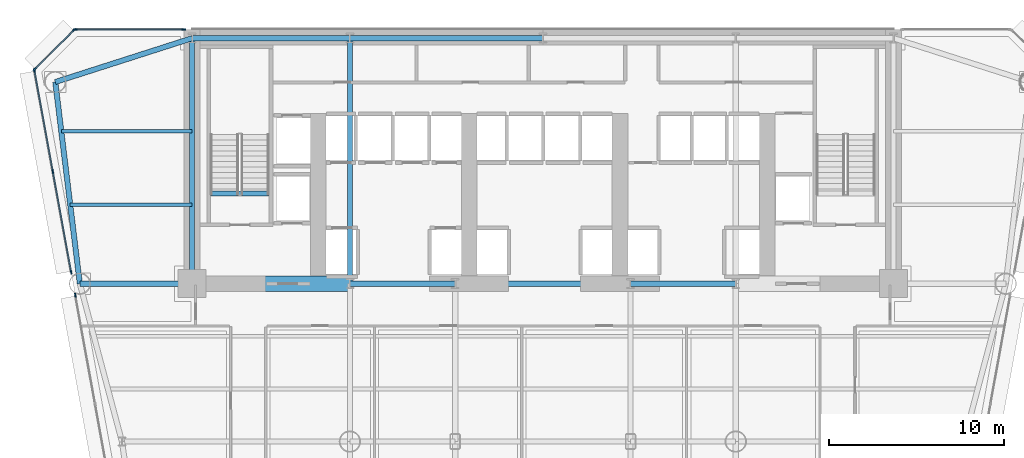
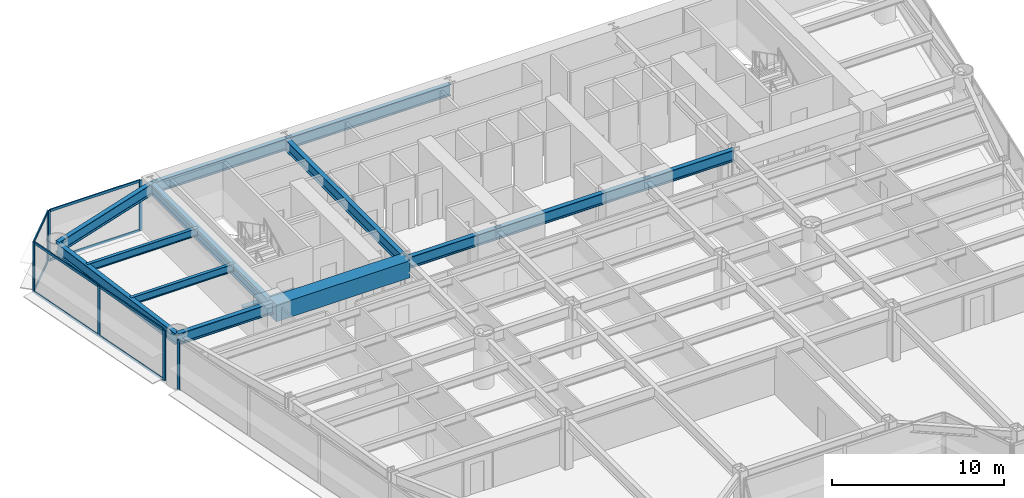
# One storey, part 5 of 14: 16 members, 14 beams, 4 elements without a shape of their own.
"""IFC4 building model written with IfcOpenShell, lengths in metres."""

from ifc_helpers import new_model, si_unit, direction, frame, origin, origin_2d, place, context, subcontext, project, spatial, rectangle, i_section, extrude, source, transform, mapped, material, layer, layer_set, material_profile, profile_set, type_object, element, aggregate, save


model = new_model("IFC4")

# Units and contexts
model_context = context("Model", 3, precision=1e-05, world=origin(), true_north=direction((0.0, 1.0)))
body_context = subcontext(model_context, "Body", "Model", "MODEL_VIEW")
ifc_project = project(units=[si_unit("LENGTHUNIT", "METRE"), si_unit("AREAUNIT", "SQUARE_METRE"), si_unit("VOLUMEUNIT", "CUBIC_METRE"), si_unit("PLANEANGLEUNIT", "RADIAN"), si_unit("MASSUNIT", "GRAM", prefix="KILO")], contexts=[model_context])

# Site, building, storey
site_placement = place(None, origin())
site = spatial("IfcSite", under=ifc_project, at=site_placement, CompositionType="ELEMENT")
building_placement = place(site_placement, origin())
building = spatial("IfcBuilding", under=site, at=building_placement, Name="Vaeldorn Concourse Tower", CompositionType="ELEMENT")
storey_placement = place(building_placement, frame((0.0, 0.0, 56.800048828125)))
storey = spatial("IfcBuildingStorey", under=building, at=storey_placement, Name="L14", CompositionType="ELEMENT", Elevation=56.800048828125)

# Beams
ifc_material_1 = material(Name="Concrete C60/75", Category="concrete")
ifc_material_profile_1 = material_profile(ifc_material_1, rectangle(XDim=0.89990234375, YDim=1.199951171875, at=origin_2d()), Name="RC 900x1200")
ifc_profile_set_1 = profile_set([ifc_material_profile_1], Name="Concrete C60/75")
beam_type_1 = type_object("IfcBeamType", Name="BM-CB-RC900", PredefinedType="BEAM", material=ifc_profile_set_1)
shared_shape_1 = source(origin(), body_context, "Body", "SweptSolid", [
    extrude(rectangle(XDim=0.89990234375, YDim=1.199951171875, at=origin_2d()), origin(), (0.0, 0.0, 1.0), 9.0),
])
beam_1_placement = place(storey_placement, frame((14.0, 36.5, 2.97998046875), z_axis=(1.0, 0.0, 0.0), x_axis=(0.0, 1.0, 0.0)))
element("IfcBeam", 1, at=beam_1_placement, inside=storey, type_object=beam_type_1, Name="Core Coupling Beam L14-1", PredefinedType="BEAM", context=body_context, shape_type="MappedRepresentation", body=[
    mapped(shared_shape_1, transform((0.0, 0.0, 0.0), scale=1.0)),
])
ifc_material_2 = material(Name="Steel S355", Category="steel")
ifc_material_profile_2 = material_profile(ifc_material_2, i_section(OverallWidth=0.300048828125, OverallDepth=0.340087890625, WebThickness=0.011962890625, FlangeThickness=0.021484375, FilletRadius=0.027099609375, at=origin_2d()), Name="HEB 340")
ifc_profile_set_2 = profile_set([ifc_material_profile_2], Name="Steel S355")
beam_type_2 = type_object("IfcBeamType", Name="BM-ST-TRIM", PredefinedType="BEAM", material=ifc_profile_set_2)
shared_shape_2 = source(origin(), body_context, "Body", "SweptSolid", [
    extrude(i_section(OverallWidth=0.300048828125, OverallDepth=0.340087890625, WebThickness=0.011962890625, FlangeThickness=0.021484375, FilletRadius=0.027099609375, at=origin_2d()), origin(), (0.0, 0.0, 1.0), 3.590087890625),
])
beam_2_placement = place(storey_placement, frame((14.929931640625, 41.639892578125, -0.39013671875), z_axis=(1.0, 0.0, 0.0), x_axis=(0.0, 1.0, 0.0)))
element("IfcBeam", 2, at=beam_2_placement, inside=storey, type_object=beam_type_2, Name="Stair Landing Trimmer Beam ST-1 L14", PredefinedType="BEAM", context=body_context, shape_type="MappedRepresentation", body=[
    mapped(shared_shape_2, transform((0.0, 0.0, 0.0), scale=1.0)),
])
ifc_material_profile_3 = material_profile(ifc_material_2, i_section(OverallWidth=0.300048828125, OverallDepth=0.800048828125, WebThickness=0.017578125, FlangeThickness=0.032958984375, FilletRadius=0.030029296875, at=origin_2d()), Name="HEB 800")
ifc_profile_set_3 = profile_set([ifc_material_profile_3], Name="Steel S355")
beam_type_3 = type_object("IfcBeamType", Name="BM-PG-HEB800", PredefinedType="BEAM", material=ifc_profile_set_3)
shared_shape_3 = source(origin(), body_context, "Body", "SweptSolid", [
    extrude(i_section(OverallWidth=0.300048828125, OverallDepth=0.800048828125, WebThickness=0.017578125, FlangeThickness=0.032958984375, FilletRadius=0.030029296875, at=origin_2d()), origin(), (0.0, 0.0, 1.0), 6.0),
])
for number, where, z_axis, x_axis, name in (
    (3, (23.0, 36.5, 3.179931640625), (1.0, 0.0, 0.0), (0.0, 1.0, 0.0), "Beam BM-L14-C-FC2-C-FC3"),
    (4, (39.0, 36.5, 3.179931640625), (1.0, 0.0, 0.0), (0.0, 1.0, 0.0), "Beam BM-L14-C-FC4-C-FC5"),
):
    element("IfcBeam", number, at=place(storey_placement, frame(where, z_axis=z_axis, x_axis=x_axis)), inside=storey, type_object=beam_type_3, Name=name, PredefinedType="BEAM", context=body_context, shape_type="MappedRepresentation", body=[
        mapped(shared_shape_3, transform((0.0, 0.0, 0.0), scale=1.0)),
    ])
shared_shape_4 = source(origin(), body_context, "Body", "SweptSolid", [
    extrude(i_section(OverallWidth=0.300048828125, OverallDepth=0.800048828125, WebThickness=0.017578125, FlangeThickness=0.032958984375, FilletRadius=0.030029296875, at=origin_2d()), origin(), (0.0, 0.0, 1.0), 10.0),
])
beam_3_placement = place(storey_placement, frame((29.0, 36.5, 3.179931640625), z_axis=(1.0, 0.0, 0.0), x_axis=(0.0, 1.0, 0.0)))
element("IfcBeam", 5, at=beam_3_placement, inside=storey, type_object=beam_type_3, Name="Beam BM-L14-C-FC3-C-FC4", PredefinedType="BEAM", context=body_context, shape_type="MappedRepresentation", body=[
    mapped(shared_shape_4, transform((0.0, 0.0, 0.0), scale=1.0)),
])
shared_shape_5 = source(origin(), body_context, "Body", "SweptSolid", [
    extrude(i_section(OverallWidth=0.300048828125, OverallDepth=0.800048828125, WebThickness=0.017578125, FlangeThickness=0.032958984375, FilletRadius=0.030029296875, at=origin_2d()), origin(), (0.0, 0.0, 1.0), 9.0),
])
beam_4_placement = place(storey_placement, frame((14.0, 50.5, 3.179931640625), z_axis=(1.0, 0.0, 0.0), x_axis=(0.0, 1.0, 0.0)))
element("IfcBeam", 6, at=beam_4_placement, inside=storey, type_object=beam_type_3, Name="Beam BM-L14-C-HC1-C-HC2", PredefinedType="BEAM", context=body_context, shape_type="MappedRepresentation", body=[
    mapped(shared_shape_5, transform((0.0, 0.0, 0.0), scale=1.0)),
])
shared_shape_6 = source(origin(), body_context, "Body", "SweptSolid", [
    extrude(i_section(OverallWidth=0.300048828125, OverallDepth=0.800048828125, WebThickness=0.017578125, FlangeThickness=0.032958984375, FilletRadius=0.030029296875, at=origin_2d()), origin(), (0.0, 0.0, 1.0), 11.0),
])
beam_5_placement = place(storey_placement, frame((23.0, 50.5, 3.179931640625), z_axis=(1.0, 0.0, 0.0), x_axis=(0.0, 1.0, 0.0)))
element("IfcBeam", 7, at=beam_5_placement, inside=storey, type_object=beam_type_3, Name="Beam BM-L14-C-HC2-C-HC3", PredefinedType="BEAM", context=body_context, shape_type="MappedRepresentation", body=[
    mapped(shared_shape_6, transform((0.0, 0.0, 0.0), scale=1.0)),
])
shared_shape_7 = source(origin(), body_context, "Body", "SweptSolid", [
    extrude(i_section(OverallWidth=0.300048828125, OverallDepth=0.800048828125, WebThickness=0.017578125, FlangeThickness=0.032958984375, FilletRadius=0.030029296875, at=origin_2d()), origin(), (0.0, 0.0, 1.0), 14.0),
])
for number, where, z_axis, x_axis, name in (
    (8, (14.0, 36.5, 3.179931640625), (0.0, 1.0, 0.0), (-1.0, 0.0, 0.0), "Beam BM-L14-C-FC1-C-HC1"),
    (9, (23.0, 36.5, 3.179931640625), (0.0, 1.0, 0.0), (-1.0, 0.0, 0.0), "Beam BM-L14-C-FC2-C-HC2"),
):
    element("IfcBeam", number, at=place(storey_placement, frame(where, z_axis=z_axis, x_axis=x_axis)), inside=storey, type_object=beam_type_3, Name=name, PredefinedType="BEAM", context=body_context, shape_type="MappedRepresentation", body=[
        mapped(shared_shape_7, transform((0.0, 0.0, 0.0), scale=1.0)),
    ])
shared_shape_8 = source(origin(), body_context, "Body", "SweptSolid", [
    extrude(i_section(OverallWidth=0.300048828125, OverallDepth=0.800048828125, WebThickness=0.017578125, FlangeThickness=0.032958984375, FilletRadius=0.030029296875, at=origin_2d()), origin(), (0.0, 0.0, 1.0), 8.19091796875),
])
beam_6_placement = place(storey_placement, frame((6.199951171875, 48.0, 3.179931640625), z_axis=(0.952282843383, 0.305216949396, 0.0), x_axis=(-0.305216949396, 0.952282843383, 0.0)))
element("IfcBeam", 10, at=beam_6_placement, inside=storey, type_object=beam_type_3, Name="Beam BM-L14-C-NW1-C-HC1", PredefinedType="BEAM", context=body_context, shape_type="MappedRepresentation", body=[
    mapped(shared_shape_8, transform((0.0, 0.0, 0.0), scale=1.0)),
])
shared_shape_9 = source(origin(), body_context, "Body", "SweptSolid", [
    extrude(i_section(OverallWidth=0.300048828125, OverallDepth=0.800048828125, WebThickness=0.017578125, FlangeThickness=0.032958984375, FilletRadius=0.030029296875, at=origin_2d()), origin(), (0.0, 0.0, 1.0), 11.5849609375),
])
beam_7_placement = place(storey_placement, frame((6.199951171875, 48.0, 3.179931640625), z_axis=(0.120859382899, -0.992669637677, 0.0), x_axis=(0.992669637677, 0.120859382899, 0.0)))
element("IfcBeam", 11, at=beam_7_placement, inside=storey, type_object=beam_type_3, Name="Beam BM-L14-C-NW1-C-NW2", PredefinedType="BEAM", context=body_context, shape_type="MappedRepresentation", body=[
    mapped(shared_shape_9, transform((0.0, 0.0, 0.0), scale=1.0)),
])
shared_shape_10 = source(origin(), body_context, "Body", "SweptSolid", [
    extrude(i_section(OverallWidth=0.300048828125, OverallDepth=0.800048828125, WebThickness=0.017578125, FlangeThickness=0.032958984375, FilletRadius=0.030029296875, at=origin_2d()), origin(), (0.0, 0.0, 1.0), 6.39990234375),
])
beam_8_placement = place(storey_placement, frame((7.60009765625, 36.5, 3.179931640625), z_axis=(1.0, 0.0, 0.0), x_axis=(0.0, 1.0, 0.0)))
element("IfcBeam", 12, at=beam_8_placement, inside=storey, type_object=beam_type_3, Name="Beam BM-L14-C-NW2-C-FC1", PredefinedType="BEAM", context=body_context, shape_type="MappedRepresentation", body=[
    mapped(shared_shape_10, transform((0.0, 0.0, 0.0), scale=1.0)),
])
ifc_material_profile_4 = material_profile(ifc_material_2, i_section(OverallWidth=0.2099609375, OverallDepth=0.550048828125, WebThickness=0.010986328125, FlangeThickness=0.01708984375, FilletRadius=0.02392578125, at=origin_2d()), Name="IPE 550")
ifc_profile_set_4 = profile_set([ifc_material_profile_4], Name="Steel S355")
beam_type_4 = type_object("IfcBeamType", Name="BM-JS-IPE550", PredefinedType="JOIST", material=ifc_profile_set_4)
shared_shape_11 = source(origin(), body_context, "Body", "SweptSolid", [
    extrude(i_section(OverallWidth=0.2099609375, OverallDepth=0.550048828125, WebThickness=0.010986328125, FlangeThickness=0.01708984375, FilletRadius=0.02392578125, at=origin_2d()), origin(), (0.0, 0.0, 1.0), 6.94775390625),
])
beam_9_placement = place(storey_placement, frame((7.05224609375, 41.0, 3.304931640625), z_axis=(1.0, 0.0, 0.0), x_axis=(0.0, 1.0, 0.0)))
element("IfcBeam", 13, at=beam_9_placement, inside=storey, type_object=beam_type_4, Name="Beam JS-L14-NW-410", PredefinedType="JOIST", context=body_context, shape_type="MappedRepresentation", body=[
    mapped(shared_shape_11, transform((0.0, 0.0, 0.0), scale=1.0)),
])
shared_shape_12 = source(origin(), body_context, "Body", "SweptSolid", [
    extrude(i_section(OverallWidth=0.2099609375, OverallDepth=0.550048828125, WebThickness=0.010986328125, FlangeThickness=0.01708984375, FilletRadius=0.02392578125, at=origin_2d()), origin(), (0.0, 0.0, 1.0), 7.458984375),
])
beam_10_placement = place(storey_placement, frame((6.541015625, 45.199951171875, 3.304931640625), z_axis=(1.0, 0.0, 0.0), x_axis=(0.0, 1.0, 0.0)))
element("IfcBeam", 14, at=beam_10_placement, inside=storey, type_object=beam_type_4, Name="Beam JS-L14-NW-452", PredefinedType="JOIST", context=body_context, shape_type="MappedRepresentation", body=[
    mapped(shared_shape_12, transform((0.0, 0.0, 0.0), scale=1.0)),
])

# Curtain wall, members
ifc_material_3 = material(Name="Anodised Bronze Aluminium", Category="aluminium")
ifc_layer = layer(ifc_material_3, 0.219970703125)
ifc_layer_set = layer_set([ifc_layer], Name="Anodised Bronze Aluminium")
curtain_wall_type = type_object("IfcCurtainWallType", Name="CW-SYS-01", PredefinedType="NOTDEFINED", material=ifc_layer_set)
curtain_wall_1_placement = place(storey_placement, origin())
curtain_wall_1 = element("IfcCurtainWall", 15, at=curtain_wall_1_placement, inside=storey, type_object=curtain_wall_type, Name="Unitised Curtain Wall CW-L14-E09-2", PredefinedType="NOTDEFINED")
ifc_material_profile_5 = material_profile(ifc_material_3, rectangle(XDim=0.074951171875, YDim=0.219970703125, at=origin_2d()), Name="CWM 75x220")
ifc_profile_set_5 = profile_set([ifc_material_profile_5], Name="Anodised Bronze Aluminium")
member_type_1 = type_object("IfcMemberType", Name="CWM-BRONZE-220", PredefinedType="MULLION", material=ifc_profile_set_5)
shared_shape_13 = source(origin(), body_context, "Body", "SweptSolid", [
    extrude(rectangle(XDim=0.074951171875, YDim=0.219970703125, at=origin_2d()), origin(), (0.0, 0.0, 1.0), 3.579833984375),
])
member_1_placement = place(storey_placement, frame((13.517578125, 51.0, 0.0), z_axis=(0.0, 0.0, 1.0), x_axis=(0.0, -1.0, 0.0)))
member_1 = element("IfcMember", 16, at=member_1_placement, type_object=member_type_1, Name="CW-01 mullion 1", PredefinedType="MULLION", context=body_context, shape_type="MappedRepresentation", body=[
    mapped(shared_shape_13, transform((0.0, 0.0, 0.0), scale=1.0)),
])
member_2_placement = place(storey_placement, frame((7.33740234375, 51.0, 0.0), z_axis=(0.0, 0.0, 1.0), x_axis=(0.0, -1.0, 0.0)))
member_2 = element("IfcMember", 17, at=member_2_placement, type_object=member_type_1, Name="CW-01 mullion 2", PredefinedType="MULLION", context=body_context, shape_type="MappedRepresentation", body=[
    mapped(shared_shape_13, transform((0.0, 0.0, 0.0), scale=1.0)),
])

curtain_wall_2_placement = place(storey_placement, origin())
curtain_wall_2 = element("IfcCurtainWall", 18, at=curtain_wall_2_placement, inside=storey, type_object=curtain_wall_type, Name="Unitised Curtain Wall CW-L14-E10-1", PredefinedType="NOTDEFINED")
member_3_placement = place(storey_placement, frame((7.2734375, 50.973388671875, 0.0), z_axis=(0.0, 0.0, 1.0), x_axis=(0.707106781187, -0.707106781187, 0.0)))
member_3 = element("IfcMember", 19, at=member_3_placement, type_object=member_type_1, Name="CW-01 mullion 1", PredefinedType="MULLION", context=body_context, shape_type="MappedRepresentation", body=[
    mapped(shared_shape_13, transform((0.0, 0.0, 0.0), scale=1.0)),
])
member_4_placement = place(storey_placement, frame((5.026611328125, 48.7265625, 0.0), z_axis=(0.0, 0.0, 1.0), x_axis=(0.707106781187, -0.707106781187, 0.0)))
member_4 = element("IfcMember", 20, at=member_4_placement, type_object=member_type_1, Name="CW-01 mullion 2", PredefinedType="MULLION", context=body_context, shape_type="MappedRepresentation", body=[
    mapped(shared_shape_13, transform((0.0, 0.0, 0.0), scale=1.0)),
])

curtain_wall_3_placement = place(storey_placement, origin())
curtain_wall_3 = element("IfcCurtainWall", 21, at=curtain_wall_3_placement, inside=storey, type_object=curtain_wall_type, Name="Unitised Curtain Wall CW-L14-E11-1", PredefinedType="NOTDEFINED")
member_5_placement = place(storey_placement, frame((5.0068359375, 48.6630859375, 0.0), z_axis=(0.0, 0.0, 1.0), x_axis=(0.983795746908, 0.179292856429, 0.0)))
member_5 = element("IfcMember", 22, at=member_5_placement, type_object=member_type_1, Name="CW-01 mullion 1", PredefinedType="MULLION", context=body_context, shape_type="MappedRepresentation", body=[
    mapped(shared_shape_13, transform((0.0, 0.0, 0.0), scale=1.0)),
])
member_6_placement = place(storey_placement, frame((6.05517578125, 42.90966796875, 0.0), z_axis=(0.0, 0.0, 1.0), x_axis=(0.983795746908, 0.179292856429, 0.0)))
member_6 = element("IfcMember", 23, at=member_6_placement, type_object=member_type_1, Name="CW-01 mullion 2", PredefinedType="MULLION", context=body_context, shape_type="MappedRepresentation", body=[
    mapped(shared_shape_13, transform((0.0, 0.0, 0.0), scale=1.0)),
])
member_7_placement = place(storey_placement, frame((7.103759765625, 37.156494140625, 0.0), z_axis=(0.0, 0.0, 1.0), x_axis=(0.983795746908, 0.179292856429, 0.0)))
member_7 = element("IfcMember", 24, at=member_7_placement, type_object=member_type_1, Name="CW-01 mullion 3", PredefinedType="MULLION", context=body_context, shape_type="MappedRepresentation", body=[
    mapped(shared_shape_13, transform((0.0, 0.0, 0.0), scale=1.0)),
])

# Curtain wall, member
curtain_wall_4_placement = place(storey_placement, origin())
curtain_wall_4 = element("IfcCurtainWall", 25, at=curtain_wall_4_placement, inside=storey, type_object=curtain_wall_type, Name="Unitised Curtain Wall CW-L14-E11-2", PredefinedType="NOTDEFINED")
member_8_placement = place(storey_placement, frame((7.343017578125, 35.843505859375, 0.0), z_axis=(0.0, 0.0, 1.0), x_axis=(0.9837957391, 0.179292899269, 0.0)))
member_8 = element("IfcMember", 26, at=member_8_placement, type_object=member_type_1, Name="CW-01 mullion 1", PredefinedType="MULLION", context=body_context, shape_type="MappedRepresentation", body=[
    mapped(shared_shape_13, transform((0.0, 0.0, 0.0), scale=1.0)),
])
aggregate(curtain_wall_4, [member_8])

# Member
ifc_material_profile_6 = material_profile(ifc_material_3, rectangle(XDim=0.074951171875, YDim=0.179931640625, at=origin_2d()), Name="CWT 75x180")
ifc_profile_set_6 = profile_set([ifc_material_profile_6], Name="Anodised Bronze Aluminium")
member_type_2 = type_object("IfcMemberType", Name="CWT-BRONZE-180", PredefinedType="USERDEFINED", material=ifc_profile_set_6)
shared_shape_14 = source(origin(), body_context, "Body", "SweptSolid", [
    extrude(rectangle(XDim=0.074951171875, YDim=0.179931640625, at=origin_2d()), origin(), (0.0, 0.0, 1.0), 3.10302734375),
])
member_9_placement = place(storey_placement, frame((7.2470703125, 50.947021484375, 0.037353515625), z_axis=(-0.707106781187, -0.707106781187, 0.0), x_axis=(0.707106781187, -0.707106781187, 0.0)))
member_9 = element("IfcMember", 27, at=member_9_placement, type_object=member_type_2, Name="CW-01 transom 1.1", ObjectType="TRANSOM", PredefinedType="USERDEFINED", context=body_context, shape_type="MappedRepresentation", body=[
    mapped(shared_shape_14, transform((0.0, 0.0, 0.0), scale=1.0)),
])

member_10_placement = place(storey_placement, frame((7.2470703125, 50.947021484375, 3.54248046875), z_axis=(-0.707106781187, -0.707106781187, 0.0), x_axis=(0.707106781187, -0.707106781187, 0.0)))
member_10 = element("IfcMember", 28, at=member_10_placement, type_object=member_type_2, Name="CW-01 transom 1.2", ObjectType="TRANSOM", PredefinedType="USERDEFINED", context=body_context, shape_type="MappedRepresentation", body=[
    mapped(shared_shape_14, transform((0.0, 0.0, 0.0), scale=1.0)),
])

aggregate(curtain_wall_2, [member_3, member_4, member_9, member_10])

shared_shape_15 = source(origin(), body_context, "Body", "SweptSolid", [
    extrude(rectangle(XDim=0.074951171875, YDim=0.179931640625, at=origin_2d()), origin(), (0.0, 0.0, 1.0), 6.10498046875),
])
member_11_placement = place(storey_placement, frame((13.47998046875, 51.0, 0.037353515625), z_axis=(-1.0, 0.0, 0.0), x_axis=(0.0, -1.0, 0.0)))
member_11 = element("IfcMember", 29, at=member_11_placement, type_object=member_type_2, Name="CW-01 transom 1.1", ObjectType="TRANSOM", PredefinedType="USERDEFINED", context=body_context, shape_type="MappedRepresentation", body=[
    mapped(shared_shape_15, transform((0.0, 0.0, 0.0), scale=1.0)),
])

member_12_placement = place(storey_placement, frame((13.47998046875, 51.0, 3.54248046875), z_axis=(-1.0, 0.0, 0.0), x_axis=(0.0, -1.0, 0.0)))
member_12 = element("IfcMember", 30, at=member_12_placement, type_object=member_type_2, Name="CW-01 transom 1.2", ObjectType="TRANSOM", PredefinedType="USERDEFINED", context=body_context, shape_type="MappedRepresentation", body=[
    mapped(shared_shape_15, transform((0.0, 0.0, 0.0), scale=1.0)),
])

aggregate(curtain_wall_1, [member_1, member_2, member_11, member_12])

shared_shape_16 = source(origin(), body_context, "Body", "SweptSolid", [
    extrude(rectangle(XDim=0.074951171875, YDim=0.179931640625, at=origin_2d()), origin(), (0.0, 0.0, 1.0), 5.77294921875),
])
member_13_placement = place(storey_placement, frame((6.06201171875, 42.872802734375, 0.037353515625), z_axis=(0.179309675026, -0.983792681637, 0.0), x_axis=(0.983792681637, 0.179309675026, 0.0)))
member_13 = element("IfcMember", 31, at=member_13_placement, type_object=member_type_2, Name="CW-01 transom 2.1", ObjectType="TRANSOM", PredefinedType="USERDEFINED", context=body_context, shape_type="MappedRepresentation", body=[
    mapped(shared_shape_16, transform((0.0, 0.0, 0.0), scale=1.0)),
])

member_14_placement = place(storey_placement, frame((6.06201171875, 42.872802734375, 3.54248046875), z_axis=(0.179309675026, -0.983792681637, 0.0), x_axis=(0.983792681637, 0.179309675026, 0.0)))
member_14 = element("IfcMember", 32, at=member_14_placement, type_object=member_type_2, Name="CW-01 transom 2.2", ObjectType="TRANSOM", PredefinedType="USERDEFINED", context=body_context, shape_type="MappedRepresentation", body=[
    mapped(shared_shape_16, transform((0.0, 0.0, 0.0), scale=1.0)),
])

shared_shape_17 = source(origin(), body_context, "Body", "SweptSolid", [
    extrude(rectangle(XDim=0.074951171875, YDim=0.179931640625, at=origin_2d()), origin(), (0.0, 0.0, 1.0), 5.773193359375),
])
member_15_placement = place(storey_placement, frame((5.013427734375, 48.626220703125, 0.037353515625), z_axis=(0.179302215223, -0.983794041259, 0.0), x_axis=(0.983794041259, 0.179302215223, 0.0)))
member_15 = element("IfcMember", 33, at=member_15_placement, type_object=member_type_2, Name="CW-01 transom 1.1", ObjectType="TRANSOM", PredefinedType="USERDEFINED", context=body_context, shape_type="MappedRepresentation", body=[
    mapped(shared_shape_17, transform((0.0, 0.0, 0.0), scale=1.0)),
])

member_16_placement = place(storey_placement, frame((5.013427734375, 48.626220703125, 3.54248046875), z_axis=(0.179302215223, -0.983794041259, 0.0), x_axis=(0.983794041259, 0.179302215223, 0.0)))
member_16 = element("IfcMember", 34, at=member_16_placement, type_object=member_type_2, Name="CW-01 transom 1.2", ObjectType="TRANSOM", PredefinedType="USERDEFINED", context=body_context, shape_type="MappedRepresentation", body=[
    mapped(shared_shape_17, transform((0.0, 0.0, 0.0), scale=1.0)),
])

aggregate(curtain_wall_3, [member_5, member_6, member_7, member_15, member_16, member_13, member_14])

save(model, "model.ifc")
